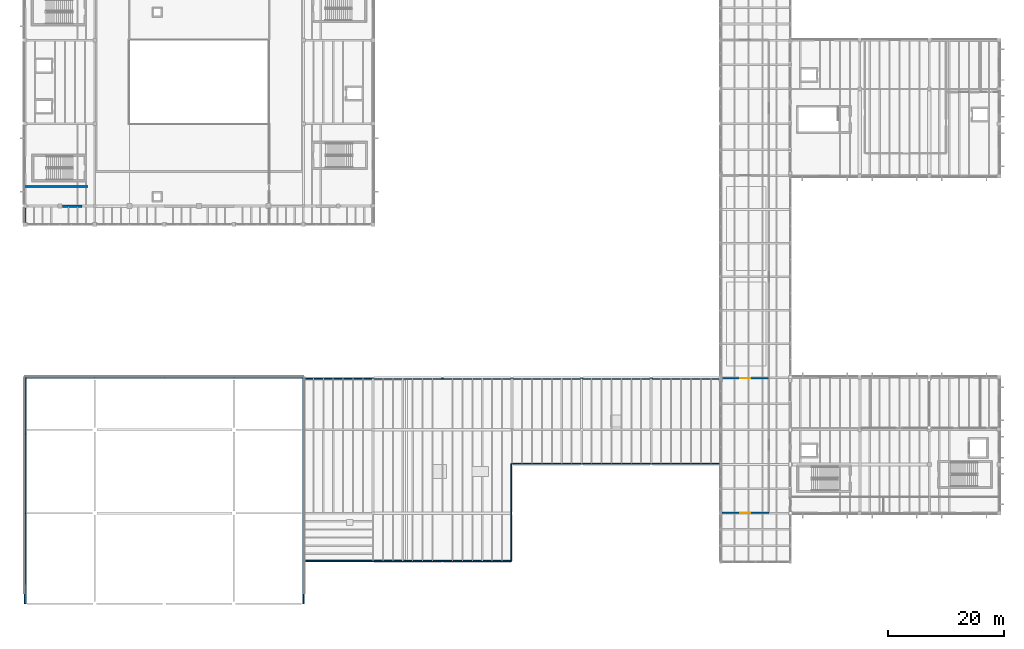
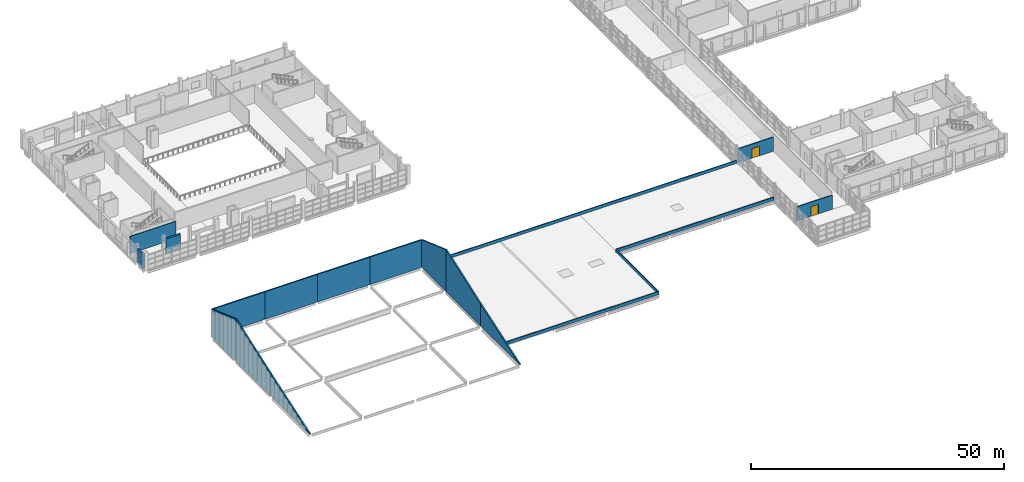
# One storey, part 45 of 63: 19 walls, 2 doors, 2 openings.
"""IFC4 building model written with IfcOpenShell, lengths in metres."""

from ifc_helpers import new_model, si_unit, direction, frame, frame_2d, origin, place, context, subcontext, project, spatial, polyline, rectangle, outline, extrude, material, layer, layer_set, type_object, element, fill, save


model = new_model("IFC4")

# Units and contexts
model_context = context("Model", 3, precision=1e-05, world=origin(), true_north=direction((0.0, 1.0)))
body_context = subcontext(model_context, "Body", "Model", "MODEL_VIEW")
ifc_project = project(units=[si_unit("LENGTHUNIT", "METRE"), si_unit("AREAUNIT", "SQUARE_METRE"), si_unit("VOLUMEUNIT", "CUBIC_METRE"), si_unit("PLANEANGLEUNIT", "RADIAN"), si_unit("MASSUNIT", "GRAM", prefix="KILO")], contexts=[model_context])

# Site, building, storey
site_placement = place(None, origin())
site = spatial("IfcSite", under=ifc_project, at=site_placement, CompositionType="ELEMENT")
building_placement = place(site_placement, origin())
building = spatial("IfcBuilding", under=site, at=building_placement, Name="Kelmvaro Bay Concert Hall", CompositionType="ELEMENT")
storey_placement = place(building_placement, frame((0.0, 0.0, 13.800048828125)))
storey = spatial("IfcBuildingStorey", under=building, at=storey_placement, Name="L03", CompositionType="ELEMENT", Elevation=13.800048828125)

# Walls
ifc_material_1 = material(Name="Acoustic Gypsum Board on Galvanised Steel Studs", Category="steel")
ifc_layer_1 = layer(ifc_material_1, 0.169921875)
ifc_layer_set_1 = layer_set([ifc_layer_1], Name="Acoustic Gypsum Board on Galvanised Steel Studs")
wall_type_1 = type_object("IfcWallType", Name="Corridor Fire Compartment Partition 170", PredefinedType="PARTITIONING", material=ifc_layer_set_1)
wall_1_placement = place(storey_placement, frame((0.18994140625, 71.919921875, 0.0), z_axis=(0.0, 0.0, 1.0), x_axis=(1.0, 0.0, 0.0)))
element("IfcWall", 1, at=wall_1_placement, inside=storey, type_object=wall_type_1, Name="L03 Interior Partition PT-L03-0289", PredefinedType="PARTITIONING", context=body_context, shape_type="SweptSolid", body=[
    extrude(rectangle(XDim=10.53515625, YDim=0.169921875, at=frame_2d((5.267578125, 0.0))), origin(), (0.0, 0.0, 1.0), 4.179931640625),
])
ifc_material_2 = material(Name="Precast Concrete C40/50", Category="concrete")
ifc_layer_2 = layer(ifc_material_2, 0.300048828125)
ifc_layer_set_2 = layer_set([ifc_layer_2], Name="Precast Concrete C40/50")
wall_type_2 = type_object("IfcWallType", Name="Education Pavilion Precast Wall 300", PredefinedType="SOLIDWALL", material=ifc_layer_set_2)
for number, where, z_axis, x_axis, name in (
    (2, (0.0, 39.0, 0.0), (0.0, 0.0, 1.0), (1.0, 0.0, 0.0), "L03 Raked Crystal Gable Wall EW-L03-0190"),
    (3, (12.0, 39.0, 0.0), (0.0, 0.0, 1.0), (1.0, 0.0, 0.0), "L03 Raked Crystal Gable Wall EW-L03-0191"),
    (4, (24.0, 39.0, 0.0), (0.0, 0.0, 1.0), (1.0, 0.0, 0.0), "L03 Raked Crystal Gable Wall EW-L03-0192"),
    (5, (36.0, 39.0, 0.0), (0.0, 0.0, 1.0), (1.0, 0.0, 0.0), "L03 Raked Crystal Gable Wall EW-L03-0193"),
):
    element("IfcWall", number, at=place(storey_placement, frame(where, z_axis=z_axis, x_axis=x_axis)), inside=storey, type_object=wall_type_2, Name=name, PredefinedType="SOLIDWALL", context=body_context, shape_type="SweptSolid", body=[
        extrude(outline(polyline([(0.0, 0.0), (12.0, 0.0), (12.0, 6.669921875), (0.0, 6.669921875), (0.0, 0.0)])), frame((0.0, 0.14990234375, 0.0), z_axis=(0.0, -1.0, 0.0), x_axis=(1.0, 0.0, 0.0)), (0.0, 0.0, 1.0), 0.300048828125),
    ])
wall_2_placement = place(storey_placement, frame((0.0, 0.0, 0.0), z_axis=(0.0, 0.0, 1.0), x_axis=(0.0, 1.0, 0.0)))
element("IfcWall", 6, at=wall_2_placement, inside=storey, type_object=wall_type_2, Name="L03 Raked Crystal Gable Wall EW-L03-0194", PredefinedType="SOLIDWALL", context=body_context, shape_type="SweptSolid", body=[
    extrude(outline(polyline([(0.0, 0.0), (15.60009765625, 0.0), (15.60009765625, 5.2900390625), (0.0, 0.119873046875), (0.0, 0.0)])), frame((0.0, 0.14990234375, 0.0), z_axis=(0.0, -1.0, 0.0), x_axis=(1.0, 0.0, 0.0)), (0.0, 0.0, 1.0), 0.300048828125),
])
wall_3_placement = place(storey_placement, frame((0.0, 15.60009765625, 0.0), z_axis=(0.0, 0.0, 1.0), x_axis=(0.0, 1.0, 0.0)))
element("IfcWall", 7, at=wall_3_placement, inside=storey, type_object=wall_type_2, Name="L03 Raked Crystal Gable Wall EW-L03-0195", PredefinedType="SOLIDWALL", context=body_context, shape_type="SweptSolid", body=[
    extrude(outline(polyline([(0.0, 0.0), (13.64990234375, 0.0), (13.64990234375, 10.123046875), (0.0, 5.2900390625), (0.0, 0.0)])), frame((0.0, 0.14990234375, 0.0), z_axis=(0.0, -1.0, 0.0), x_axis=(1.0, 0.0, 0.0)), (0.0, 0.0, 1.0), 0.300048828125),
])
wall_4_placement = place(storey_placement, frame((0.0, 29.25, 0.0), z_axis=(0.0, 0.0, 1.0), x_axis=(0.0, 1.0, 0.0)))
element("IfcWall", 8, at=wall_4_placement, inside=storey, type_object=wall_type_2, Name="L03 Raked Crystal Gable Wall EW-L03-0196", PredefinedType="SOLIDWALL", context=body_context, shape_type="SweptSolid", body=[
    extrude(outline(polyline([(0.0, 0.0), (9.75, 0.0), (9.75, 6.669921875), (0.0, 10.123046875), (0.0, 0.0)])), frame((0.0, 0.14990234375, 0.0), z_axis=(0.0, -1.0, 0.0), x_axis=(1.0, 0.0, 0.0)), (0.0, 0.0, 1.0), 0.300048828125),
])
wall_5_placement = place(storey_placement, frame((48.0, 39.0, 0.0), z_axis=(0.0, 0.0, 1.0), x_axis=(0.0, -1.0, 0.0)))
element("IfcWall", 9, at=wall_5_placement, inside=storey, type_object=wall_type_2, Name="L03 Raked Crystal Gable Wall EW-L03-0197", PredefinedType="SOLIDWALL", context=body_context, shape_type="SweptSolid", body=[
    extrude(outline(polyline([(0.0, 0.0), (9.75, 0.0), (9.75, 10.123046875), (0.0, 6.669921875), (0.0, 0.0)])), frame((0.0, 0.14990234375, 0.0), z_axis=(0.0, -1.0, 0.0), x_axis=(1.0, 0.0, 0.0)), (0.0, 0.0, 1.0), 0.300048828125),
])
wall_6_placement = place(storey_placement, frame((48.0, 29.25, 0.0), z_axis=(0.0, 0.0, 1.0), x_axis=(0.0, -1.0, 0.0)))
element("IfcWall", 10, at=wall_6_placement, inside=storey, type_object=wall_type_2, Name="L03 Raked Crystal Gable Wall EW-L03-0198", PredefinedType="SOLIDWALL", context=body_context, shape_type="SweptSolid", body=[
    extrude(outline(polyline([(0.0, 0.0), (13.64990234375, 0.0), (13.64990234375, 5.2900390625), (0.0, 10.123046875), (0.0, 0.0)])), frame((0.0, 0.14990234375, 0.0), z_axis=(0.0, -1.0, 0.0), x_axis=(1.0, 0.0, 0.0)), (0.0, 0.0, 1.0), 0.300048828125),
])
wall_7_placement = place(storey_placement, frame((48.0, 15.60009765625, 0.0), z_axis=(0.0, 0.0, 1.0), x_axis=(0.0, -1.0, 0.0)))
element("IfcWall", 11, at=wall_7_placement, inside=storey, type_object=wall_type_2, Name="L03 Raked Crystal Gable Wall EW-L03-0199", PredefinedType="SOLIDWALL", context=body_context, shape_type="SweptSolid", body=[
    extrude(outline(polyline([(0.0, 0.0), (15.60009765625, 0.0), (15.60009765625, 0.119873046875), (0.0, 5.2900390625), (0.0, 0.0)])), frame((0.0, 0.14990234375, 0.0), z_axis=(0.0, -1.0, 0.0), x_axis=(1.0, 0.0, 0.0)), (0.0, 0.0, 1.0), 0.300048828125),
])
ifc_material_3 = material(Name="Concrete C40/50", Category="concrete")
ifc_layer_3 = layer(ifc_material_3, 0.449951171875)
ifc_layer_set_3 = layer_set([ifc_layer_3], Name="Concrete C40/50")
wall_type_3 = type_object("IfcWallType", Name="Outer Acoustic Box Shear Wall 450", PredefinedType="SHEAR", material=ifc_layer_set_3)
wall_8_placement = place(storey_placement, frame((6.449951171875, 68.580078125, 0.0), z_axis=(0.0, 0.0, 1.0), x_axis=(1.0, 0.0, 0.0)))
element("IfcWall", 12, at=wall_8_placement, inside=storey, type_object=wall_type_3, Name="L03 Shell Springing Shear Wall S1", PredefinedType="SHEAR", context=body_context, shape_type="SweptSolid", body=[
    extrude(rectangle(XDim=3.35009765625, YDim=0.449951171875, at=frame_2d((1.675048828125, 0.0))), origin(), (0.0, 0.0, 1.0), 3.5048828125),
])

# Wall, opening, door
ifc_material_4 = material(Name="Acoustic Gypsum Board on Galvanised Steel Studs", Category="steel")
ifc_layer_4 = layer(ifc_material_4, 0.179931640625)
ifc_layer_set_4 = layer_set([ifc_layer_4], Name="Acoustic Gypsum Board on Galvanised Steel Studs")
wall_type_4 = type_object("IfcWallType", Name="Rehearsal Suite Acoustic Partition 180", PredefinedType="PARTITIONING", material=ifc_layer_set_4)
wall_9_placement = place(storey_placement, frame((120.20849609375, 15.679931640625, 0.0), z_axis=(0.0, 0.0, 1.0), x_axis=(1.0, 0.0, 0.0)))
wall_9 = element("IfcWall", 13, at=wall_9_placement, inside=storey, type_object=wall_type_4, Name="L03 Interior Partition PT-L03-0294", PredefinedType="PARTITIONING", context=body_context, shape_type="SweptSolid", body=[
    extrude(rectangle(XDim=8.116455078125, YDim=0.179931640625, at=frame_2d((4.05810546875, 0.0))), origin(), (0.0, 0.0, 1.0), 3.43798828125),
])
opening_1_placement = place(wall_9_placement, frame((3.1982421875, 0.0, 0.0)))
opening_1 = element("IfcOpeningElement", 14, at=opening_1_placement, cuts=wall_9, Name="Opening ID-AC4", PredefinedType="OPENING", context=body_context, shape_type="SweptSolid", body=[
    extrude(rectangle(XDim=1.719970703125, YDim=2.340087890625, at=frame_2d((0.85986328125, 1.169921875))), frame((0.0, 0.099853515625, 0.0), z_axis=(0.0, -1.0, 0.0), x_axis=(1.0, 0.0, 0.0)), (0.0, 0.0, 1.0), 0.199951171875),
])
ifc_material_5 = material(Name="Solid White Oak Acoustic Leaf")
door_type = type_object("IfcDoorType", Name="Rehearsal Hall Acoustic Pair Door 1720x2340", OperationType="NOTDEFINED", PredefinedType="DOOR", material=ifc_material_5)
door_1_placement = place(opening_1_placement, origin())
door_1 = element("IfcDoor", 15, at=door_1_placement, inside=storey, type_object=door_type, Name="L03 Interior Door DR-INT-L03-0171", OperationType="DOUBLE_DOOR_SINGLE_SWING", OverallHeight=2.340087890625, OverallWidth=1.719970703125, PredefinedType="DOOR", context=body_context, shape_type="SweptSolid", body=[
    extrude(rectangle(XDim=1.719970703125, YDim=2.340087890625, at=frame_2d((0.85986328125, 1.169921875))), frame((0.0, 0.02490234375, 0.0), z_axis=(0.0, -1.0, 0.0), x_axis=(1.0, 0.0, 0.0)), (0.0, 0.0, 1.0), 0.050048828125),
])
fill(opening_1, door_1)

wall_10_placement = place(storey_placement, frame((120.20849609375, 38.8798828125, 0.0), z_axis=(0.0, 0.0, 1.0), x_axis=(1.0, 0.0, 0.0)))
wall_10 = element("IfcWall", 16, at=wall_10_placement, inside=storey, type_object=wall_type_4, Name="L03 Interior Partition PT-L03-0309", PredefinedType="PARTITIONING", context=body_context, shape_type="SweptSolid", body=[
    extrude(rectangle(XDim=8.011474609375, YDim=0.179931640625, at=frame_2d((4.005859375, 0.0))), origin(), (0.0, 0.0, 1.0), 3.43798828125),
])
opening_2_placement = place(wall_10_placement, frame((3.145751953125, 0.0, 0.0)))
opening_2 = element("IfcOpeningElement", 17, at=opening_2_placement, cuts=wall_10, Name="Opening ID-AC4", PredefinedType="OPENING", context=body_context, shape_type="SweptSolid", body=[
    extrude(rectangle(XDim=1.719970703125, YDim=2.340087890625, at=frame_2d((0.85986328125, 1.169921875))), frame((0.0, 0.099853515625, 0.0), z_axis=(0.0, -1.0, 0.0), x_axis=(1.0, 0.0, 0.0)), (0.0, 0.0, 1.0), 0.199951171875),
])
door_2_placement = place(opening_2_placement, origin())
door_2 = element("IfcDoor", 18, at=door_2_placement, inside=storey, type_object=door_type, Name="L03 Interior Door DR-INT-L03-0179", OperationType="DOUBLE_DOOR_SINGLE_SWING", OverallHeight=2.340087890625, OverallWidth=1.719970703125, PredefinedType="DOOR", context=body_context, shape_type="SweptSolid", body=[
    extrude(rectangle(XDim=1.719970703125, YDim=2.340087890625, at=frame_2d((0.85986328125, 1.169921875))), frame((0.0, 0.02490234375, 0.0), z_axis=(0.0, -1.0, 0.0), x_axis=(1.0, 0.0, 0.0)), (0.0, 0.0, 1.0), 0.050048828125),
])
fill(opening_2, door_2)

# Walls
ifc_material_6 = material(Name="Precast Concrete C40/50", Category="concrete")
ifc_layer_5 = layer(ifc_material_6, 0.2099609375)
ifc_layer_set_5 = layer_set([ifc_layer_5], Name="Precast Concrete C40/50")
wall_type_5 = type_object("IfcWallType", Name="Terrace Perimeter Parapet Wall 210", PredefinedType="PARAPET", material=ifc_layer_set_5)
wall_11_placement = place(storey_placement, frame((48.14990234375, 7.35009765625, 0.06005859375), z_axis=(0.0, 0.0, 1.0), x_axis=(1.0, 0.0, 0.0)))
element("IfcWall", 19, at=wall_11_placement, inside=storey, type_object=wall_type_5, Name="L03 Roof Parapet 07", PredefinedType="PARAPET", context=body_context, shape_type="SweptSolid", body=[
    extrude(rectangle(XDim=35.7001953125, YDim=0.2099609375, at=frame_2d((17.85009765625, 0.0))), origin(), (0.0, 0.0, 1.0), 0.719970703125),
])
wall_12_placement = place(storey_placement, frame((83.85009765625, 7.35009765625, 0.06005859375), z_axis=(0.0, 0.0, 1.0), x_axis=(0.0, 1.0, 0.0)))
element("IfcWall", 20, at=wall_12_placement, inside=storey, type_object=wall_type_5, Name="L03 Roof Parapet 08", PredefinedType="PARAPET", context=body_context, shape_type="SweptSolid", body=[
    extrude(rectangle(XDim=16.7998046875, YDim=0.2099609375, at=frame_2d((8.39990234375, 0.0))), origin(), (0.0, 0.0, 1.0), 0.719970703125),
])
wall_13_placement = place(storey_placement, frame((83.85009765625, 24.14990234375, 0.06005859375), z_axis=(0.0, 0.0, 1.0), x_axis=(1.0, 0.0, 0.0)))
element("IfcWall", 21, at=wall_13_placement, inside=storey, type_object=wall_type_5, Name="L03 Roof Parapet 09", PredefinedType="PARAPET", context=body_context, shape_type="SweptSolid", body=[
    extrude(rectangle(XDim=36.0, YDim=0.2099609375, at=frame_2d((18.0, 0.0))), origin(), (0.0, 0.0, 1.0), 0.719970703125),
])
wall_14_placement = place(storey_placement, frame((48.14990234375, 38.85009765625, 0.06005859375), z_axis=(0.0, 0.0, 1.0), x_axis=(1.0, 0.0, 0.0)))
element("IfcWall", 22, at=wall_14_placement, inside=storey, type_object=wall_type_5, Name="L03 Roof Parapet 10", PredefinedType="PARAPET", context=body_context, shape_type="SweptSolid", body=[
    extrude(rectangle(XDim=71.7001953125, YDim=0.2099609375, at=frame_2d((35.85009765625, 0.0))), origin(), (0.0, 0.0, 1.0), 0.719970703125),
])
ifc_material_7 = material(Name="Precast Concrete C40/50", Category="concrete")
ifc_layer_6 = layer(ifc_material_7, 0.360107421875)
ifc_layer_set_6 = layer_set([ifc_layer_6], Name="Precast Concrete C40/50")
wall_type_6 = type_object("IfcWallType", Name="Travertine Acoustic Precast Wall 360", PredefinedType="SOLIDWALL", material=ifc_layer_set_6)
wall_15_placement = place(storey_placement, frame((0.0, 65.77490234375, 0.0), z_axis=(0.0, 0.0, 1.0), x_axis=(0.0, 1.0, 0.0)))
element("IfcWall", 23, at=wall_15_placement, inside=storey, type_object=wall_type_6, Name="L03 Exterior Wall EW-L03-0052", PredefinedType="SOLIDWALL", context=body_context, shape_type="SweptSolid", body=[
    extrude(rectangle(XDim=2.47998046875, YDim=0.360107421875, at=frame_2d((1.239990234375, 0.0))), origin(), (0.0, 0.0, 1.0), 3.56787109375),
])

save(model, "model.ifc")
